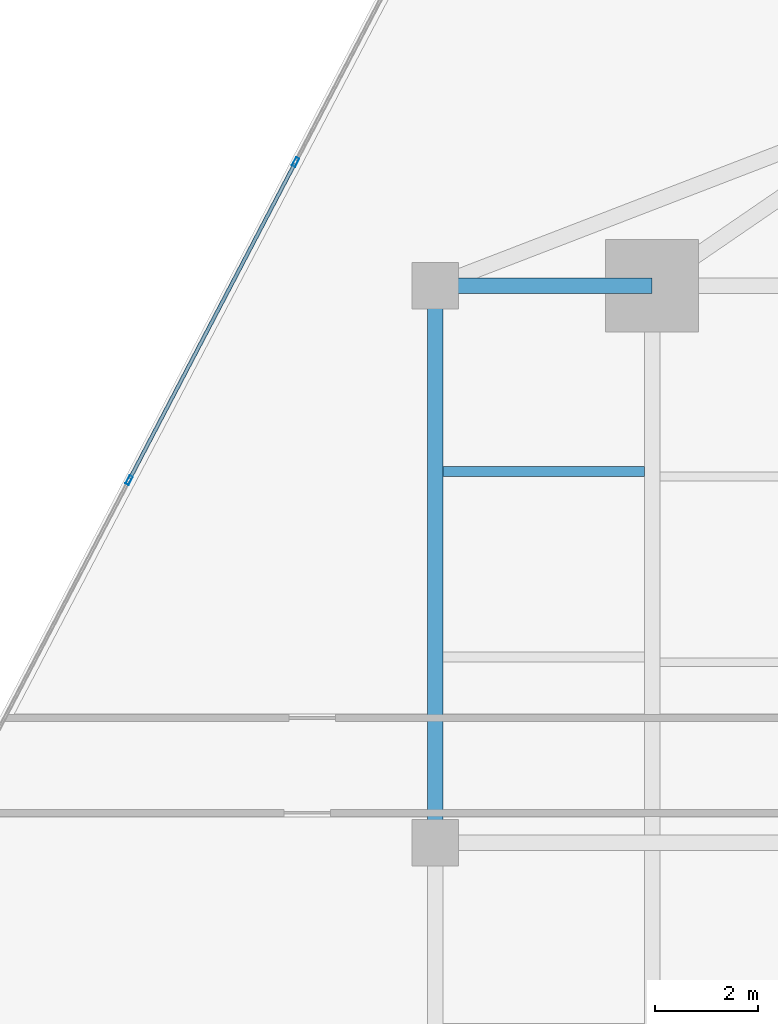
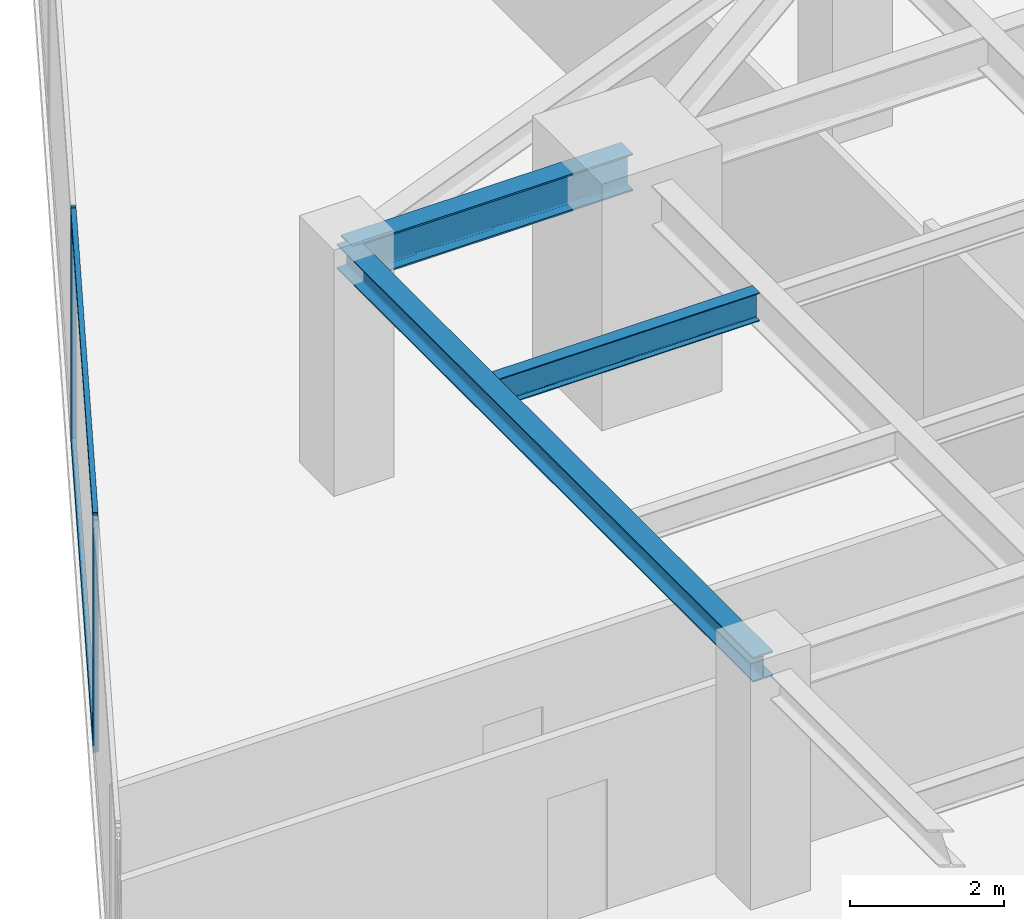
# One storey, part 13 of 27: 4 members, 3 beams, 1 element without a shape of its own.
"""IFC4 building model written with IfcOpenShell, lengths in metres."""

from ifc_helpers import new_model, si_unit, direction, frame, origin, origin_2d, place, context, subcontext, project, spatial, hollow_rectangle, i_section, extrude, source, transform, mapped, material, material_profile, profile_set, type_object, type_shapes, element, aggregate, save


model = new_model("IFC4")

# Units and contexts
model_context = context("Model", 3, precision=1e-05, world=origin(), true_north=direction((0.0, 1.0)))
body_context = subcontext(model_context, "Body", "Model", "MODEL_VIEW")
ifc_project = project(units=[si_unit("LENGTHUNIT", "METRE"), si_unit("AREAUNIT", "SQUARE_METRE"), si_unit("VOLUMEUNIT", "CUBIC_METRE"), si_unit("PLANEANGLEUNIT", "RADIAN"), si_unit("MASSUNIT", "GRAM", prefix="KILO")], contexts=[model_context])

# Site, building, storey
site_placement = place(None, origin())
site = spatial("IfcSite", under=ifc_project, at=site_placement, CompositionType="ELEMENT")
building_placement = place(site_placement, origin())
building = spatial("IfcBuilding", under=site, at=building_placement, Name="Krantzveldt Concourse Tower", CompositionType="ELEMENT")
storey_placement = place(building_placement, frame((0.0, 0.0, 150.14990234375)))
storey = spatial("IfcBuildingStorey", under=building, at=storey_placement, Name="L36", CompositionType="ELEMENT", Elevation=150.14990234375)

# Beams
ifc_material_1 = material(Name="Steel S355JR", Category="steel")
ifc_material_profile_1 = material_profile(ifc_material_1, i_section(OverallWidth=0.300048828125, OverallDepth=0.590087890625, WebThickness=0.012939453125, FlangeThickness=0.02490234375, FilletRadius=0.027099609375, at=origin_2d()), Name="Steel S355JR", Category="steel")
ifc_profile_set_1 = profile_set([ifc_material_profile_1], Name="Steel S355JR - HEA 600")
beam_type_1 = type_object("IfcBeamType", Name="BM-B-HEA600", PredefinedType="BEAM", material=ifc_profile_set_1)
shared_shape_1 = source(origin(), body_context, "Body", "SweptSolid", [
    extrude(i_section(OverallWidth=0.300048828125, OverallDepth=0.590087890625, WebThickness=0.012939453125, FlangeThickness=0.02490234375, FilletRadius=0.027099609375, at=origin_2d()), origin(), (0.0, 0.0, 1.0), 4.199951171875),
])
type_shapes(beam_type_1, [shared_shape_1])
beam_1_placement = place(storey_placement, frame((21.0, 37.5, 3.375), z_axis=(1.0, 0.0, 0.0), x_axis=(0.0, 1.0, 0.0)))
element("IfcBeam", 1, at=beam_1_placement, inside=storey, type_object=beam_type_1, Name="L36 Tower Girder BR-RL3", PredefinedType="BEAM", context=body_context, shape_type="MappedRepresentation", body=[
    mapped(shared_shape_1, transform((0.0, 0.0, 0.0), x_axis=(1.0, 0.0, 0.0), y_axis=(0.0, 1.0, 0.0), z_axis=(0.0, 0.0, 1.0), scale=1.0)),
])
ifc_material_profile_2 = material_profile(ifc_material_1, i_section(OverallWidth=0.300048828125, OverallDepth=0.389892578125, WebThickness=0.010986328125, FlangeThickness=0.01904296875, FilletRadius=0.027099609375, at=origin_2d()), Name="Steel S355JR", Category="steel")
ifc_profile_set_2 = profile_set([ifc_material_profile_2], Name="Steel S355JR - HEA 400")
beam_type_2 = type_object("IfcBeamType", Name="BM-SP-HEA400", PredefinedType="SPANDREL", material=ifc_profile_set_2)
shared_shape_2 = source(origin(), body_context, "Body", "SweptSolid", [
    extrude(i_section(OverallWidth=0.300048828125, OverallDepth=0.389892578125, WebThickness=0.010986328125, FlangeThickness=0.01904296875, FilletRadius=0.027099609375, at=origin_2d()), origin(), (0.0, 0.0, 1.0), 10.800048828125),
])
type_shapes(beam_type_2, [shared_shape_2])
beam_2_placement = place(storey_placement, frame((21.0, 26.699951171875, 3.47509765625), z_axis=(0.0, 1.0, 0.0), x_axis=(-1.0, 0.0, 0.0)))
element("IfcBeam", 2, at=beam_2_placement, inside=storey, type_object=beam_type_2, Name="L36 Tower Girder SP-R02", PredefinedType="SPANDREL", context=body_context, shape_type="MappedRepresentation", body=[
    mapped(shared_shape_2, transform((0.0, 0.0, 0.0), x_axis=(1.0, 0.0, 0.0), y_axis=(0.0, 1.0, 0.0), z_axis=(0.0, 0.0, 1.0), scale=1.0)),
])
ifc_material_profile_3 = material_profile(ifc_material_1, i_section(OverallWidth=0.18994140625, OverallDepth=0.449951171875, WebThickness=0.009521484375, FlangeThickness=0.0146484375, FilletRadius=0.02099609375, at=origin_2d()), Name="Steel S355JR", Category="steel")
ifc_profile_set_3 = profile_set([ifc_material_profile_3], Name="Steel S355JR - IPE 450")
beam_type_3 = type_object("IfcBeamType", Name="BM-J-IPE450", PredefinedType="JOIST", material=ifc_profile_set_3)
shared_shape_3 = source(origin(), body_context, "Body", "SweptSolid", [
    extrude(i_section(OverallWidth=0.18994140625, OverallDepth=0.449951171875, WebThickness=0.009521484375, FlangeThickness=0.0146484375, FilletRadius=0.02099609375, at=origin_2d()), origin(), (0.0, 0.0, 1.0), 3.900146484375),
])
type_shapes(beam_type_3, [shared_shape_3])
beam_3_placement = place(storey_placement, frame((21.14990234375, 33.89990234375, 3.445068359375), z_axis=(1.0, 0.0, 0.0), x_axis=(0.0, 1.0, 0.0)))
element("IfcBeam", 3, at=beam_3_placement, inside=storey, type_object=beam_type_3, Name="L36 Secondary Floor Joist JW-4", PredefinedType="JOIST", context=body_context, shape_type="MappedRepresentation", body=[
    mapped(shared_shape_3, transform((0.0, 0.0, 0.0), x_axis=(1.0, 0.0, 0.0), y_axis=(0.0, 1.0, 0.0), z_axis=(0.0, 0.0, 1.0), scale=1.0)),
])

# Curtain wall, members
ifc_material_2 = material(Name="Anodised aluminium 6063-T6", Category="aluminium")
curtain_wall_type = type_object("IfcCurtainWallType", Name="CW3", PredefinedType="USERDEFINED", material=ifc_material_2)
curtain_wall_placement = place(storey_placement, origin())
curtain_wall = element("IfcCurtainWall", 4, at=curtain_wall_placement, inside=storey, type_object=curtain_wall_type, Name="CW-L36-F01", ObjectType="UNITISED CURTAIN WALL", PredefinedType="USERDEFINED")
ifc_material_profile_4 = material_profile(ifc_material_2, hollow_rectangle(XDim=0.070068359375, YDim=0.179931640625, WallThickness=0.0048828125, at=origin_2d()), Name="Anodised aluminium 6063-T6", Category="aluminium")
ifc_profile_set_4 = profile_set([ifc_material_profile_4], Name="Anodised aluminium 6063-T6 - ALU-MULL 180x70x5")
member_type_1 = type_object("IfcMemberType", Name="CW-MUL-180", PredefinedType="MULLION", material=ifc_profile_set_4)
shared_shape_4 = source(origin(), body_context, "Body", "SweptSolid", [
    extrude(hollow_rectangle(XDim=0.070068359375, YDim=0.179931640625, WallThickness=0.0048828125, at=origin_2d()), origin(), (0.0, 0.0, 1.0), 3.670166015625),
])
type_shapes(member_type_1, [shared_shape_4])
member_1_placement = place(storey_placement, frame((18.2900390625, 39.896240234375, 0.0), z_axis=(0.0, 0.0, 1.0), x_axis=(0.886001265743, -0.463682819502, 0.0)))
member_1 = element("IfcMember", 5, at=member_1_placement, type_object=member_type_1, Name="CW-Z34 mullion 3", PredefinedType="MULLION", context=body_context, shape_type="MappedRepresentation", body=[
    mapped(shared_shape_4, transform((0.0, 0.0, 0.0), x_axis=(1.0, 0.0, 0.0), y_axis=(0.0, 1.0, 0.0), z_axis=(0.0, 0.0, 1.0), scale=1.0)),
])
member_2_placement = place(storey_placement, frame((15.062744140625, 33.729736328125, 0.0), z_axis=(0.0, 0.0, 1.0), x_axis=(0.886001265743, -0.463682819502, 0.0)))
member_2 = element("IfcMember", 6, at=member_2_placement, type_object=member_type_1, Name="CW-Z34 mullion 4", PredefinedType="MULLION", context=body_context, shape_type="MappedRepresentation", body=[
    mapped(shared_shape_4, transform((0.0, 0.0, 0.0), x_axis=(1.0, 0.0, 0.0), y_axis=(0.0, 1.0, 0.0), z_axis=(0.0, 0.0, 1.0), scale=1.0)),
])
ifc_material_profile_5 = material_profile(ifc_material_2, hollow_rectangle(XDim=0.070068359375, YDim=0.139892578125, WallThickness=0.0048828125, at=origin_2d()), Name="Anodised aluminium 6063-T6", Category="aluminium")
ifc_profile_set_5 = profile_set([ifc_material_profile_5], Name="Anodised aluminium 6063-T6 - ALU-TRAN 140x70x5")
member_type_2 = type_object("IfcMemberType", Name="CW-TRN-150", PredefinedType="USERDEFINED", material=ifc_profile_set_5)
shared_shape_5 = source(origin(), body_context, "Body", "SweptSolid", [
    extrude(hollow_rectangle(XDim=0.070068359375, YDim=0.139892578125, WallThickness=0.0048828125, at=origin_2d()), origin(), (0.0, 0.0, 1.0), 6.889892578125),
])
type_shapes(member_type_2, [shared_shape_5])
member_3_placement = place(storey_placement, frame((18.273681640625, 39.865234375, 0.03515625), z_axis=(-0.46369184059, -0.885996544559, 0.0), x_axis=(0.885996544559, -0.46369184059, 0.0)))
member_3 = element("IfcMember", 7, at=member_3_placement, type_object=member_type_2, Name="CW-Z34 transom 3.1", ObjectType="TRANSOM", PredefinedType="USERDEFINED", context=body_context, shape_type="MappedRepresentation", body=[
    mapped(shared_shape_5, transform((0.0, 0.0, 0.0), x_axis=(1.0, 0.0, 0.0), y_axis=(0.0, 1.0, 0.0), z_axis=(0.0, 0.0, 1.0), scale=1.0)),
])
member_4_placement = place(storey_placement, frame((18.273681640625, 39.865234375, 3.635009765625), z_axis=(-0.46369184059, -0.885996544559, 0.0), x_axis=(0.885996544559, -0.46369184059, 0.0)))
member_4 = element("IfcMember", 8, at=member_4_placement, type_object=member_type_2, Name="CW-Z34 transom 3.2", ObjectType="TRANSOM", PredefinedType="USERDEFINED", context=body_context, shape_type="MappedRepresentation", body=[
    mapped(shared_shape_5, transform((0.0, 0.0, 0.0), x_axis=(1.0, 0.0, 0.0), y_axis=(0.0, 1.0, 0.0), z_axis=(0.0, 0.0, 1.0), scale=1.0)),
])
aggregate(curtain_wall, [member_1, member_2, member_3, member_4])

save(model, "model.ifc")
